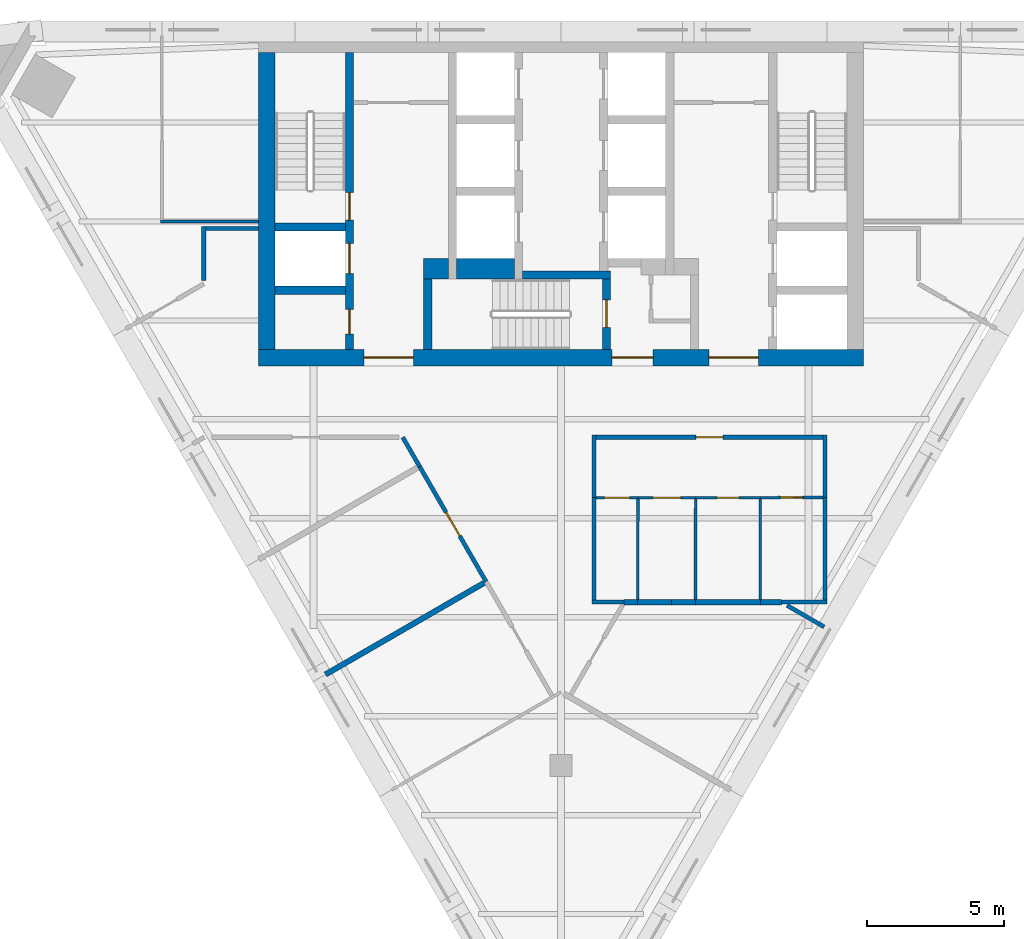
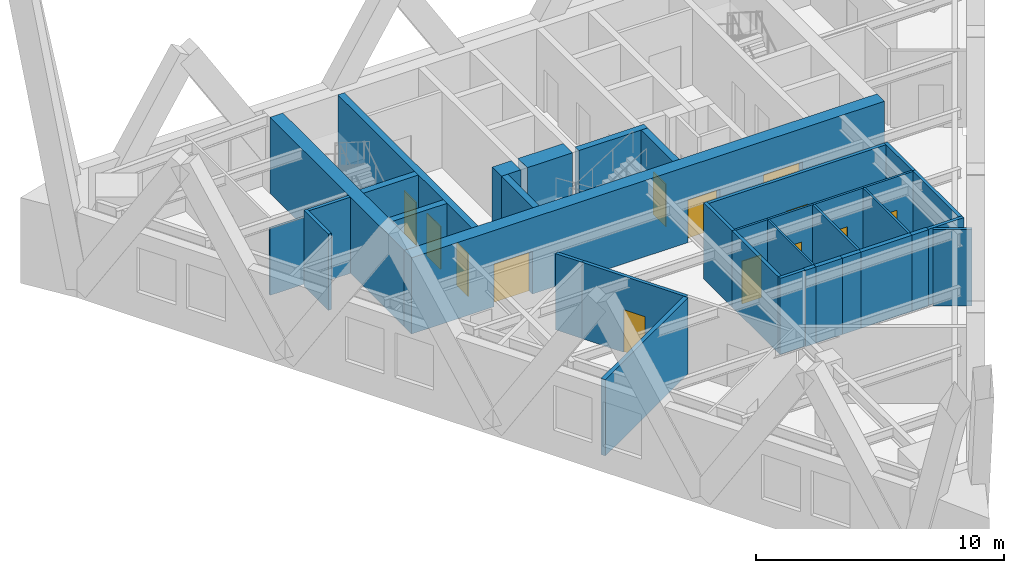
# One storey, part 3 of 6: 36 walls, 13 doors, 13 openings.
"""IFC4 building model written with IfcOpenShell, lengths in metres."""

from ifc_helpers import new_model, si_unit, direction, frame, frame_2d, origin, place, context, subcontext, project, spatial, rectangle, extrude, material, layer, layer_set, type_object, element, fill, save


model = new_model("IFC4")

# Units and contexts
model_context = context("Model", 3, precision=1e-05, world=origin(), true_north=direction((0.0, 1.0)))
body_context = subcontext(model_context, "Body", "Model", "MODEL_VIEW")
ifc_project = project(units=[si_unit("LENGTHUNIT", "METRE"), si_unit("AREAUNIT", "SQUARE_METRE"), si_unit("VOLUMEUNIT", "CUBIC_METRE"), si_unit("PLANEANGLEUNIT", "RADIAN"), si_unit("MASSUNIT", "GRAM", prefix="KILO")], contexts=[model_context])

# Site, building, storey
site_placement = place(None, origin())
site = spatial("IfcSite", under=ifc_project, at=site_placement, CompositionType="ELEMENT")
building_placement = place(site_placement, origin())
building = spatial("IfcBuilding", under=site, at=building_placement, Name="Aloe Facet Convention Tower", CompositionType="ELEMENT")
storey_placement = place(building_placement, frame((0.0, 0.0, 180.199951171875)))
storey = spatial("IfcBuildingStorey", under=building, at=storey_placement, Name="L45", CompositionType="ELEMENT", Elevation=180.199951171875)

# Walls
ifc_material_1 = material(Name="Concrete C50/60", Category="concrete")
ifc_layer_1 = layer(ifc_material_1, 0.300048828125)
ifc_layer_set_1 = layer_set([ifc_layer_1], Name="CR-W-RC300-C5060")
wall_type_1 = type_object("IfcWallType", Name="CR-W-RC300-C5060", PredefinedType="SOLIDWALL", material=ifc_layer_set_1)
for number, where, z_axis, x_axis, name in (
    (1, (69.60009765625, 127.60009765625, 0.0), (0.0, 0.0, 1.0), (1.0, 0.0, 0.0), "Core wall L45-004"),
    (2, (69.60009765625, 125.300048828125, 0.0), (0.0, 0.0, 1.0), (1.0, 0.0, 0.0), "Core wall L45-005"),
):
    element("IfcWall", number, at=place(storey_placement, frame(where, z_axis=z_axis, x_axis=x_axis)), inside=storey, type_object=wall_type_1, Name=name, PredefinedType="SOLIDWALL", context=body_context, shape_type="SweptSolid", body=[
        extrude(rectangle(XDim=2.5498046875, YDim=0.300048828125, at=frame_2d((1.27490234375, 0.0))), origin(), (0.0, 0.0, 1.0), 3.75),
    ])

# Wall, openings, doors
wall_1_placement = place(storey_placement, frame((72.300048828125, 133.949951171875, 0.0), z_axis=(0.0, 0.0, 1.0), x_axis=(0.0, -1.0, 0.0)))
wall_1 = element("IfcWall", 3, at=wall_1_placement, inside=storey, type_object=wall_type_1, Name="Core wall L45-006", PredefinedType="SOLIDWALL", context=body_context, shape_type="SweptSolid", body=[
    extrude(rectangle(XDim=10.800048828125, YDim=0.300048828125, at=frame_2d((5.39990234375, 0.0))), origin(), (0.0, 0.0, 1.0), 3.75),
])
opening_1_placement = place(wall_1_placement, frame((6.949951171875, 0.0, 0.0)))
opening_1 = element("IfcOpeningElement", 4, at=opening_1_placement, cuts=wall_1, Name="Opening LD-FF1-L45", PredefinedType="OPENING", context=body_context, shape_type="SweptSolid", body=[
    extrude(rectangle(XDim=1.10009765625, YDim=2.10009765625, at=frame_2d((0.550048828125, 1.050048828125))), frame((0.0, 0.16015625, 0.0), z_axis=(0.0, -1.0, 0.0), x_axis=(1.0, 0.0, 0.0)), (0.0, 0.0, 1.0), 0.320068359375),
])
opening_2_placement = place(wall_1_placement, frame((9.35009765625, 0.0, 0.0)))
opening_2 = element("IfcOpeningElement", 5, at=opening_2_placement, cuts=wall_1, Name="Opening L45-CD15", PredefinedType="OPENING", context=body_context, shape_type="SweptSolid", body=[
    extrude(rectangle(XDim=0.89990234375, YDim=2.10009765625, at=frame_2d((0.449951171875, 1.050048828125))), frame((0.0, 0.16015625, 0.0), z_axis=(0.0, -1.0, 0.0), x_axis=(1.0, 0.0, 0.0)), (0.0, 0.0, 1.0), 0.320068359375),
])
opening_3_placement = place(wall_1_placement, frame((5.10009765625, 0.0, 0.0)))
opening_3 = element("IfcOpeningElement", 6, at=opening_3_placement, cuts=wall_1, Name="Opening L45-CD16", PredefinedType="OPENING", context=body_context, shape_type="SweptSolid", body=[
    extrude(rectangle(XDim=1.0, YDim=2.10009765625, at=frame_2d((0.5, 1.050048828125))), frame((0.0, 0.16015625, 0.0), z_axis=(0.0, -1.0, 0.0), x_axis=(1.0, 0.0, 0.0)), (0.0, 0.0, 1.0), 0.320068359375),
])
ifc_material_2 = material(Name="Steel fire-resisting door set FD60", Category="steel")
door_type_1 = type_object("IfcDoorType", Name="CR-D-ROOM-900-FD60-SLEFT", OperationType="SINGLE_SWING_LEFT", PredefinedType="DOOR", material=ifc_material_2)
door_1_placement = place(opening_2_placement, origin())
door_1 = element("IfcDoor", 7, at=door_1_placement, inside=storey, type_object=door_type_1, Name="Core door L45-CD15", OperationType="SINGLE_SWING_LEFT", OverallHeight=2.10009765625, OverallWidth=0.89990234375, PredefinedType="DOOR", context=body_context, shape_type="SweptSolid", body=[
    extrude(rectangle(XDim=0.89990234375, YDim=2.10009765625, at=frame_2d((0.449951171875, 1.050048828125))), frame((0.0, 0.02490234375, 0.0), z_axis=(0.0, -1.0, 0.0), x_axis=(1.0, 0.0, 0.0)), (0.0, 0.0, 1.0), 0.050048828125),
])
fill(opening_2, door_1)
ifc_material_3 = material(Name="Steel fire-resisting door set FD120", Category="steel")
door_type_2 = type_object("IfcDoorType", Name="CR-D-STAIR-1000-FD120-SRIGHT", OperationType="SINGLE_SWING_RIGHT", PredefinedType="DOOR", material=ifc_material_3)
door_2_placement = place(opening_3_placement, origin())
door_2 = element("IfcDoor", 8, at=door_2_placement, inside=storey, type_object=door_type_2, Name="Core door L45-CD16", OperationType="SINGLE_SWING_RIGHT", OverallHeight=2.10009765625, OverallWidth=1.0, PredefinedType="DOOR", context=body_context, shape_type="SweptSolid", body=[
    extrude(rectangle(XDim=1.0, YDim=2.10009765625, at=frame_2d((0.5, 1.050048828125))), frame((0.0, 0.02490234375, 0.0), z_axis=(0.0, -1.0, 0.0), x_axis=(1.0, 0.0, 0.0)), (0.0, 0.0, 1.0), 0.050048828125),
])
fill(opening_3, door_2)
ifc_material_4 = material(Name="Stainless steel sliding landing door", Category="steel")
door_type_3 = type_object("IfcDoorType", Name="CR-LD-1100-FD120-_LEFT", OperationType="SLIDING_TO_LEFT", PredefinedType="DOOR", material=ifc_material_4)
door_3_placement = place(opening_1_placement, origin())
door_3 = element("IfcDoor", 9, at=door_3_placement, inside=storey, type_object=door_type_3, Name="Landing door FF1 L45", OperationType="SLIDING_TO_LEFT", OverallHeight=2.10009765625, OverallWidth=1.10009765625, PredefinedType="DOOR", context=body_context, shape_type="SweptSolid", body=[
    extrude(rectangle(XDim=1.10009765625, YDim=2.10009765625, at=frame_2d((0.550048828125, 1.050048828125))), frame((0.0, 0.02490234375, 0.0), z_axis=(0.0, -1.0, 0.0), x_axis=(1.0, 0.0, 0.0)), (0.0, 0.0, 1.0), 0.050048828125),
])
fill(opening_1, door_3)

# Walls
wall_2_placement = place(storey_placement, frame((75.14990234375, 125.699951171875, 0.0), z_axis=(0.0, 0.0, 1.0), x_axis=(0.0, -1.0, 0.0)))
element("IfcWall", 10, at=wall_2_placement, inside=storey, type_object=wall_type_1, Name="Core wall L45-009", PredefinedType="SOLIDWALL", context=body_context, shape_type="SweptSolid", body=[
    extrude(rectangle(XDim=2.550048828125, YDim=0.300048828125, at=frame_2d((1.27490234375, 0.0))), origin(), (0.0, 0.0, 1.0), 3.75),
])
wall_3_placement = place(storey_placement, frame((78.60009765625, 125.85009765625, 0.0), z_axis=(0.0, 0.0, 1.0), x_axis=(1.0, 0.0, 0.0)))
element("IfcWall", 11, at=wall_3_placement, inside=storey, type_object=wall_type_1, Name="Core wall L45-015", PredefinedType="SOLIDWALL", context=body_context, shape_type="SweptSolid", body=[
    extrude(rectangle(XDim=3.199951171875, YDim=0.300048828125, at=frame_2d((1.60009765625, 0.0))), origin(), (0.0, 0.0, 1.0), 3.75),
])

# Wall, opening, door
wall_4_placement = place(storey_placement, frame((81.64990234375, 125.699951171875, 0.0), z_axis=(0.0, 0.0, 1.0), x_axis=(0.0, -1.0, 0.0)))
wall_4 = element("IfcWall", 12, at=wall_4_placement, inside=storey, type_object=wall_type_1, Name="Core wall L45-017", PredefinedType="SOLIDWALL", context=body_context, shape_type="SweptSolid", body=[
    extrude(rectangle(XDim=2.550048828125, YDim=0.300048828125, at=frame_2d((1.27490234375, 0.0))), origin(), (0.0, 0.0, 1.0), 3.75),
])
opening_4_placement = place(wall_4_placement, frame((0.75, 0.0, 0.0)))
opening_4 = element("IfcOpeningElement", 13, at=opening_4_placement, cuts=wall_4, Name="Opening L45-CD18", PredefinedType="OPENING", context=body_context, shape_type="SweptSolid", body=[
    extrude(rectangle(XDim=1.0, YDim=2.10009765625, at=frame_2d((0.5, 1.050048828125))), frame((0.0, 0.16015625, 0.0), z_axis=(0.0, -1.0, 0.0), x_axis=(1.0, 0.0, 0.0)), (0.0, 0.0, 1.0), 0.320068359375),
])
ifc_material_5 = material(Name="Steel fire-resisting door set FD120", Category="steel")
door_type_4 = type_object("IfcDoorType", Name="CR-D-STAIR-1000-FD120-SLEFT", OperationType="SINGLE_SWING_LEFT", PredefinedType="DOOR", material=ifc_material_5)
door_4_placement = place(opening_4_placement, origin())
door_4 = element("IfcDoor", 14, at=door_4_placement, inside=storey, type_object=door_type_4, Name="Core door L45-CD18", OperationType="SINGLE_SWING_LEFT", OverallHeight=2.10009765625, OverallWidth=1.0, PredefinedType="DOOR", context=body_context, shape_type="SweptSolid", body=[
    extrude(rectangle(XDim=1.0, YDim=2.10009765625, at=frame_2d((0.5, 1.050048828125))), frame((0.0, 0.02490234375, 0.0), z_axis=(0.0, -1.0, 0.0), x_axis=(1.0, 0.0, 0.0)), (0.0, 0.0, 1.0), 0.050048828125),
])
fill(opening_4, door_4)

# Wall
ifc_material_6 = material(Name="Concrete C50/60", Category="concrete")
ifc_layer_2 = layer(ifc_material_6, 0.60009765625)
ifc_layer_set_2 = layer_set([ifc_layer_2], Name="CR-W-RC600-C5060")
wall_type_2 = type_object("IfcWallType", Name="CR-W-RC600-C5060", PredefinedType="SOLIDWALL", material=ifc_layer_set_2)
wall_5_placement = place(storey_placement, frame((69.300048828125, 133.949951171875, 0.0), z_axis=(0.0, 0.0, 1.0), x_axis=(0.0, -1.0, 0.0)))
element("IfcWall", 15, at=wall_5_placement, inside=storey, type_object=wall_type_2, Name="Core wall L45-002", PredefinedType="SOLIDWALL", context=body_context, shape_type="SweptSolid", body=[
    extrude(rectangle(XDim=10.800048828125, YDim=0.60009765625, at=frame_2d((5.39990234375, 0.0))), origin(), (0.0, 0.0, 1.0), 3.75),
])

# Wall, openings, doors
wall_6_placement = place(storey_placement, frame((69.0, 122.85009765625, 0.0), z_axis=(0.0, 0.0, 1.0), x_axis=(1.0, 0.0, 0.0)))
wall_6 = element("IfcWall", 16, at=wall_6_placement, inside=storey, type_object=wall_type_2, Name="Core wall L45-003", PredefinedType="SOLIDWALL", context=body_context, shape_type="SweptSolid", body=[
    extrude(rectangle(XDim=22.0, YDim=0.60009765625, at=frame_2d((11.0, 0.0))), origin(), (0.0, 0.0, 1.0), 3.75),
])
opening_5_placement = place(wall_6_placement, frame((16.375, 0.0, 0.0)))
opening_5 = element("IfcOpeningElement", 17, at=opening_5_placement, cuts=wall_6, Name="Opening L45-CD09", PredefinedType="OPENING", context=body_context, shape_type="SweptSolid", body=[
    extrude(rectangle(XDim=1.800048828125, YDim=2.10009765625, at=frame_2d((0.89990234375, 1.050048828125))), frame((0.0, 0.31005859375, 0.0), z_axis=(0.0, -1.0, 0.0), x_axis=(1.0, 0.0, 0.0)), (0.0, 0.0, 1.0), 0.6201171875),
])
opening_6_placement = place(wall_6_placement, frame((3.824951171875, 0.0, 0.0)))
opening_6 = element("IfcOpeningElement", 18, at=opening_6_placement, cuts=wall_6, Name="Opening L45-CD10", PredefinedType="OPENING", context=body_context, shape_type="SweptSolid", body=[
    extrude(rectangle(XDim=1.800048828125, YDim=2.10009765625, at=frame_2d((0.89990234375, 1.050048828125))), frame((0.0, 0.31005859375, 0.0), z_axis=(0.0, -1.0, 0.0), x_axis=(1.0, 0.0, 0.0)), (0.0, 0.0, 1.0), 0.6201171875),
])
opening_7_placement = place(wall_6_placement, frame((12.85009765625, 0.0, 0.0)))
opening_7 = element("IfcOpeningElement", 19, at=opening_7_placement, cuts=wall_6, Name="Opening L45-CD11", PredefinedType="OPENING", context=body_context, shape_type="SweptSolid", body=[
    extrude(rectangle(XDim=1.5, YDim=2.10009765625, at=frame_2d((0.75, 1.050048828125))), frame((0.0, 0.31005859375, 0.0), z_axis=(0.0, -1.0, 0.0), x_axis=(1.0, 0.0, 0.0)), (0.0, 0.0, 1.0), 0.6201171875),
])
ifc_material_7 = material(Name="Steel fire-resisting door set FD60", Category="steel")
door_type_5 = type_object("IfcDoorType", Name="CR-D-EXIT-1500-FD60-DD", OperationType="DOUBLE_DOOR_DOUBLE_SWING", PredefinedType="DOOR", material=ifc_material_7)
door_5_placement = place(opening_7_placement, origin())
door_5 = element("IfcDoor", 20, at=door_5_placement, inside=storey, type_object=door_type_5, Name="Core door L45-CD11", OperationType="DOUBLE_DOOR_DOUBLE_SWING", OverallHeight=2.10009765625, OverallWidth=1.5, PredefinedType="DOOR", context=body_context, shape_type="SweptSolid", body=[
    extrude(rectangle(XDim=1.5, YDim=2.10009765625, at=frame_2d((0.75, 1.050048828125))), frame((0.0, 0.02490234375, 0.0), z_axis=(0.0, -1.0, 0.0), x_axis=(1.0, 0.0, 0.0)), (0.0, 0.0, 1.0), 0.050048828125),
])
fill(opening_7, door_5)
ifc_material_8 = material(Name="Steel fire-resisting door set FD120", Category="steel")
door_type_6 = type_object("IfcDoorType", Name="CR-D-EXIT-1800-FD120-DD", OperationType="DOUBLE_DOOR_DOUBLE_SWING", PredefinedType="DOOR", material=ifc_material_8)
door_6_placement = place(opening_5_placement, origin())
door_6 = element("IfcDoor", 21, at=door_6_placement, inside=storey, type_object=door_type_6, Name="Core door L45-CD09", OperationType="DOUBLE_DOOR_DOUBLE_SWING", OverallHeight=2.10009765625, OverallWidth=1.800048828125, PredefinedType="DOOR", context=body_context, shape_type="SweptSolid", body=[
    extrude(rectangle(XDim=1.800048828125, YDim=2.10009765625, at=frame_2d((0.89990234375, 1.050048828125))), frame((0.0, 0.02490234375, 0.0), z_axis=(0.0, -1.0, 0.0), x_axis=(1.0, 0.0, 0.0)), (0.0, 0.0, 1.0), 0.050048828125),
])
fill(opening_5, door_6)
door_7_placement = place(opening_6_placement, origin())
door_7 = element("IfcDoor", 22, at=door_7_placement, inside=storey, type_object=door_type_6, Name="Core door L45-CD10", OperationType="DOUBLE_DOOR_DOUBLE_SWING", OverallHeight=2.10009765625, OverallWidth=1.800048828125, PredefinedType="DOOR", context=body_context, shape_type="SweptSolid", body=[
    extrude(rectangle(XDim=1.800048828125, YDim=2.10009765625, at=frame_2d((0.89990234375, 1.050048828125))), frame((0.0, 0.02490234375, 0.0), z_axis=(0.0, -1.0, 0.0), x_axis=(1.0, 0.0, 0.0)), (0.0, 0.0, 1.0), 0.050048828125),
])
fill(opening_6, door_7)

# Walls
ifc_material_9 = material(Name="Concrete C50/60", Category="concrete")
ifc_layer_3 = layer(ifc_material_9, 0.75)
ifc_layer_set_3 = layer_set([ifc_layer_3], Name="CR-W-RC750-C5060")
wall_type_3 = type_object("IfcWallType", Name="CR-W-RC750-C5060", PredefinedType="SOLIDWALL", material=ifc_layer_set_3)
wall_7_placement = place(storey_placement, frame((75.0, 126.074951171875, 0.0), z_axis=(0.0, 0.0, 1.0), x_axis=(1.0, 0.0, 0.0)))
element("IfcWall", 23, at=wall_7_placement, inside=storey, type_object=wall_type_3, Name="Core wall L45-008", PredefinedType="SOLIDWALL", context=body_context, shape_type="SweptSolid", body=[
    extrude(rectangle(XDim=0.89990234375, YDim=0.75, at=frame_2d((0.449951171875, 0.0))), origin(), (0.0, 0.0, 1.0), 3.75),
])
wall_8_placement = place(storey_placement, frame((76.199951171875, 126.074951171875, 0.0), z_axis=(0.0, 0.0, 1.0), x_axis=(1.0, 0.0, 0.0)))
element("IfcWall", 24, at=wall_8_placement, inside=storey, type_object=wall_type_3, Name="Core wall L45-013", PredefinedType="SOLIDWALL", context=body_context, shape_type="SweptSolid", body=[
    extrude(rectangle(XDim=2.10009765625, YDim=0.75, at=frame_2d((1.050048828125, 0.0))), origin(), (0.0, 0.0, 1.0), 3.75),
])
ifc_material_10 = material(Name="Gypsum board partition on steel studs", Category="steel")
ifc_layer_4 = layer(ifc_material_10, 0.14990234375)
ifc_layer_set_4 = layer_set([ifc_layer_4], Name="IN-W-CORR")
wall_type_4 = type_object("IfcWallType", Name="IN-W-CORR", PredefinedType="PARTITIONING", material=ifc_layer_set_4)
wall_9_placement = place(storey_placement, frame((88.220703125, 113.830078125, 0.0), z_axis=(0.0, 0.0, 1.0), x_axis=(0.865997745606, -0.500047902311, 0.0)))
element("IfcWall", 25, at=wall_9_placement, inside=storey, type_object=wall_type_4, Name="Partition L45-W009", PredefinedType="PARTITIONING", context=body_context, shape_type="SweptSolid", body=[
    extrude(rectangle(XDim=1.558349609375, YDim=0.14990234375, at=frame_2d((0.779296875, 0.0))), origin(), (0.0, 0.0, 1.0), 3.75),
])
wall_10_placement = place(storey_placement, frame((81.126953125, 113.949951171875, 0.0), z_axis=(0.0, 0.0, 1.0), x_axis=(1.0, 0.0, 0.0)))
element("IfcWall", 26, at=wall_10_placement, inside=storey, type_object=wall_type_4, Name="Partition L45-W013", PredefinedType="PARTITIONING", context=body_context, shape_type="SweptSolid", body=[
    extrude(rectangle(XDim=1.17041015625, YDim=0.14990234375, at=frame_2d((0.585205078125, 0.0))), origin(), (0.0, 0.0, 1.0), 3.75),
])
wall_11_placement = place(storey_placement, frame((88.0126953125, 113.949951171875, 0.0), z_axis=(0.0, 0.0, 1.0), x_axis=(1.0, 0.0, 0.0)))
element("IfcWall", 27, at=wall_11_placement, inside=storey, type_object=wall_type_4, Name="Partition L45-W017", PredefinedType="PARTITIONING", context=body_context, shape_type="SweptSolid", body=[
    extrude(rectangle(XDim=1.66015625, YDim=0.14990234375, at=frame_2d((0.830078125, 0.0))), origin(), (0.0, 0.0, 1.0), 3.75),
])
wall_12_placement = place(storey_placement, frame((89.597900390625, 114.02490234375, 0.0), z_axis=(0.0, 0.0, 1.0), x_axis=(0.000588273642, 0.999999826967, 0.0)))
element("IfcWall", 28, at=wall_12_placement, inside=storey, type_object=wall_type_4, Name="Partition L45-W018", PredefinedType="PARTITIONING", context=body_context, shape_type="SweptSolid", body=[
    extrude(rectangle(XDim=3.735107421875, YDim=0.14990234375, at=frame_2d((1.86767578125, 0.0))), origin(), (0.0, 0.0, 1.0), 3.75),
])

# Wall, opening, door
wall_13_placement = place(storey_placement, frame((74.85302734375, 118.88525390625, 0.0), z_axis=(0.0, 0.0, 1.0), x_axis=(0.500006196252, -0.866021826347, 0.0)))
wall_13 = element("IfcWall", 29, at=wall_13_placement, inside=storey, type_object=wall_type_4, Name="Partition L45-W019", PredefinedType="PARTITIONING", context=body_context, shape_type="SweptSolid", body=[
    extrude(rectangle(XDim=4.84130859375, YDim=0.14990234375, at=frame_2d((2.420654296875, 0.0))), origin(), (0.0, 0.0, 1.0), 3.75),
])
opening_8_placement = place(wall_13_placement, frame((1.920654296875, 0.0, 0.0)))
opening_8 = element("IfcOpeningElement", 30, at=opening_8_placement, cuts=wall_13, Name="Opening L45-010", PredefinedType="OPENING", context=body_context, shape_type="SweptSolid", body=[
    extrude(rectangle(XDim=1.0, YDim=2.10009765625, at=frame_2d((0.5, 1.050048828125))), frame((0.0, 0.0849609375, 0.0), z_axis=(0.0, -1.0, 0.0), x_axis=(1.0, 0.0, 0.0)), (0.0, 0.0, 1.0), 0.169921875),
])
ifc_material_11 = material(Name="Timber door FD30S with vision panel", Category="wood")
door_type_7 = type_object("IfcDoorType", Name="IN-OFF-D-ENTRY", OperationType="SINGLE_SWING_LEFT", PredefinedType="DOOR", material=ifc_material_11)
door_8_placement = place(opening_8_placement, origin())
door_8 = element("IfcDoor", 31, at=door_8_placement, inside=storey, type_object=door_type_7, Name="Door L45-010", OperationType="SINGLE_SWING_LEFT", OverallHeight=2.10009765625, OverallWidth=1.0, PredefinedType="DOOR", context=body_context, shape_type="SweptSolid", body=[
    extrude(rectangle(XDim=1.0, YDim=2.10009765625, at=frame_2d((0.5, 1.050048828125))), frame((0.0, 0.02490234375, 0.0), z_axis=(0.0, -1.0, 0.0), x_axis=(1.0, 0.0, 0.0)), (0.0, 0.0, 1.0), 0.050048828125),
])
fill(opening_8, door_8)

# Walls
wall_14_placement = place(storey_placement, frame((89.60009765625, 117.760009765625, 0.0), z_axis=(0.0, 0.0, 1.0), x_axis=(0.0, 1.0, 0.0)))
element("IfcWall", 32, at=wall_14_placement, inside=storey, type_object=wall_type_4, Name="Partition L45-W021", PredefinedType="PARTITIONING", context=body_context, shape_type="SweptSolid", body=[
    extrude(rectangle(XDim=2.262939453125, YDim=0.14990234375, at=frame_2d((1.13134765625, 0.0))), origin(), (0.0, 0.0, 1.0), 3.75),
])
wall_15_placement = place(storey_placement, frame((81.201904296875, 114.02490234375, 0.0), z_axis=(0.0, 0.0, 1.0), x_axis=(-0.000524315041, 0.999999862547, 0.0)))
element("IfcWall", 33, at=wall_15_placement, inside=storey, type_object=wall_type_4, Name="Partition L45-W029", PredefinedType="PARTITIONING", context=body_context, shape_type="SweptSolid", body=[
    extrude(rectangle(XDim=3.72509765625, YDim=0.14990234375, at=frame_2d((1.862548828125, 0.0))), origin(), (0.0, 0.0, 1.0), 3.75),
])
wall_16_placement = place(storey_placement, frame((74.239013671875, 119.948974609375, 0.0), z_axis=(0.0, 0.0, 1.0), x_axis=(0.499923202248, -0.866069738447, 0.0)))
element("IfcWall", 34, at=wall_16_placement, inside=storey, type_object=wall_type_4, Name="Partition L45-W030", PredefinedType="PARTITIONING", context=body_context, shape_type="SweptSolid", body=[
    extrude(rectangle(XDim=1.228271484375, YDim=0.14990234375, at=frame_2d((0.6142578125, 0.0))), origin(), (0.0, 0.0, 1.0), 3.75),
])
wall_17_placement = place(storey_placement, frame((81.199951171875, 117.75, 0.0), z_axis=(0.0, 0.0, 1.0), x_axis=(0.0, 1.0, 0.0)))
element("IfcWall", 35, at=wall_17_placement, inside=storey, type_object=wall_type_4, Name="Partition L45-W031", PredefinedType="PARTITIONING", context=body_context, shape_type="SweptSolid", body=[
    extrude(rectangle(XDim=2.27294921875, YDim=0.14990234375, at=frame_2d((1.136474609375, 0.0))), origin(), (0.0, 0.0, 1.0), 3.75),
])

# Wall, opening, door
wall_18_placement = place(storey_placement, frame((81.27490234375, 119.947998046875, 0.0), z_axis=(0.0, 0.0, 1.0), x_axis=(1.0, 0.0, 0.0)))
wall_18 = element("IfcWall", 36, at=wall_18_placement, inside=storey, type_object=wall_type_4, Name="Partition L45-W034", PredefinedType="PARTITIONING", context=body_context, shape_type="SweptSolid", body=[
    extrude(rectangle(XDim=8.25, YDim=0.14990234375, at=frame_2d((4.125, 0.0))), origin(), (0.0, 0.0, 1.0), 3.75),
])
opening_9_placement = place(wall_18_placement, frame((3.625, 0.0, 0.0)))
opening_9 = element("IfcOpeningElement", 37, at=opening_9_placement, cuts=wall_18, Name="Opening L45-001", PredefinedType="OPENING", context=body_context, shape_type="SweptSolid", body=[
    extrude(rectangle(XDim=1.0, YDim=2.10009765625, at=frame_2d((0.5, 1.050048828125))), frame((0.0, 0.0849609375, 0.0), z_axis=(0.0, -1.0, 0.0), x_axis=(1.0, 0.0, 0.0)), (0.0, 0.0, 1.0), 0.169921875),
])
door_9_placement = place(opening_9_placement, origin())
door_9 = element("IfcDoor", 38, at=door_9_placement, inside=storey, type_object=door_type_7, Name="Door L45-001", OperationType="SINGLE_SWING_LEFT", OverallHeight=2.10009765625, OverallWidth=1.0, PredefinedType="DOOR", context=body_context, shape_type="SweptSolid", body=[
    extrude(rectangle(XDim=1.0, YDim=2.10009765625, at=frame_2d((0.5, 1.050048828125))), frame((0.0, 0.02490234375, 0.0), z_axis=(0.0, -1.0, 0.0), x_axis=(1.0, 0.0, 0.0)), (0.0, 0.0, 1.0), 0.050048828125),
])
fill(opening_9, door_9)

# Walls
wall_19_placement = place(storey_placement, frame((66.9990234375, 125.660888671875, 0.0), z_axis=(0.0, 0.0, 1.0), x_axis=(0.00049720317, 0.999999876394, 0.0)))
element("IfcWall", 39, at=wall_19_placement, inside=storey, type_object=wall_type_4, Name="Partition L45-W037", PredefinedType="PARTITIONING", context=body_context, shape_type="SweptSolid", body=[
    extrude(rectangle(XDim=1.964111328125, YDim=0.14990234375, at=frame_2d((0.98193359375, 0.0))), origin(), (0.0, 0.0, 1.0), 3.75),
])
wall_20_placement = place(storey_placement, frame((67.074951171875, 127.550048828125, 0.0), z_axis=(0.0, 0.0, 1.0), x_axis=(1.0, 0.0, 0.0)))
element("IfcWall", 40, at=wall_20_placement, inside=storey, type_object=wall_type_4, Name="Partition L45-W038", PredefinedType="PARTITIONING", context=body_context, shape_type="SweptSolid", body=[
    extrude(rectangle(XDim=1.925048828125, YDim=0.14990234375, at=frame_2d((0.96240234375, 0.0))), origin(), (0.0, 0.0, 1.0), 3.75),
])
ifc_material_12 = material(Name="Gypsum board partition on steel studs", Category="steel")
ifc_layer_5 = layer(ifc_material_12, 0.10009765625)
ifc_layer_set_5 = layer_set([ifc_layer_5], Name="IN-W-PART")
wall_type_5 = type_object("IfcWallType", Name="IN-W-PART", PredefinedType="PARTITIONING", material=ifc_layer_set_5)
wall_21_placement = place(storey_placement, frame((82.786376953125, 114.050048828125, 0.0), z_axis=(0.0, 0.0, 1.0), x_axis=(0.002608686776, 0.999996597371, 0.0)))
element("IfcWall", 41, at=wall_21_placement, inside=storey, type_object=wall_type_5, Name="Partition L45-W022", PredefinedType="PARTITIONING", context=body_context, shape_type="SweptSolid", body=[
    extrude(rectangle(XDim=3.64990234375, YDim=0.10009765625, at=frame_2d((1.824951171875, 0.0))), origin(), (0.0, 0.0, 1.0), 3.75),
])

# Wall, opening, door
wall_22_placement = place(storey_placement, frame((81.27490234375, 117.75, 0.0), z_axis=(0.0, 0.0, 1.0), x_axis=(1.0, 0.0, 0.0)))
wall_22 = element("IfcWall", 42, at=wall_22_placement, inside=storey, type_object=wall_type_5, Name="Partition L45-W023", PredefinedType="PARTITIONING", context=body_context, shape_type="SweptSolid", body=[
    extrude(rectangle(XDim=1.52099609375, YDim=0.10009765625, at=frame_2d((0.760498046875, 0.0))), origin(), (0.0, 0.0, 1.0), 3.75),
])
opening_10_placement = place(wall_22_placement, frame((0.310546875, 0.0, 0.0)))
opening_10 = element("IfcOpeningElement", 43, at=opening_10_placement, cuts=wall_22, Name="Opening L45-002", PredefinedType="OPENING", context=body_context, shape_type="SweptSolid", body=[
    extrude(rectangle(XDim=0.89990234375, YDim=2.10009765625, at=frame_2d((0.449951171875, 1.050048828125))), frame((0.0, 0.06005859375, 0.0), z_axis=(0.0, -1.0, 0.0), x_axis=(1.0, 0.0, 0.0)), (0.0, 0.0, 1.0), 0.1201171875),
])
ifc_material_13 = material(Name="Timber door", Category="wood")
door_type_8 = type_object("IfcDoorType", Name="IN-OFF-D-ROOM", OperationType="SINGLE_SWING_LEFT", PredefinedType="DOOR", material=ifc_material_13)
door_10_placement = place(opening_10_placement, origin())
door_10 = element("IfcDoor", 44, at=door_10_placement, inside=storey, type_object=door_type_8, Name="Door L45-002", OperationType="SINGLE_SWING_LEFT", OverallHeight=2.10009765625, OverallWidth=0.89990234375, PredefinedType="DOOR", context=body_context, shape_type="SweptSolid", body=[
    extrude(rectangle(XDim=0.89990234375, YDim=2.10009765625, at=frame_2d((0.449951171875, 1.050048828125))), frame((0.0, 0.02490234375, 0.0), z_axis=(0.0, -1.0, 0.0), x_axis=(1.0, 0.0, 0.0)), (0.0, 0.0, 1.0), 0.050048828125),
])
fill(opening_10, door_10)

# Wall
wall_23_placement = place(storey_placement, frame((84.88623046875, 114.047119140625, 0.0), z_axis=(0.0, 0.0, 1.0), x_axis=(0.00260659454, 0.999996602827, 0.0)))
element("IfcWall", 45, at=wall_23_placement, inside=storey, type_object=wall_type_5, Name="Partition L45-W024", PredefinedType="PARTITIONING", context=body_context, shape_type="SweptSolid", body=[
    extrude(rectangle(XDim=3.65283203125, YDim=0.10009765625, at=frame_2d((1.826416015625, 0.0))), origin(), (0.0, 0.0, 1.0), 3.75),
])

# Wall, opening, door
wall_24_placement = place(storey_placement, frame((82.7958984375, 117.75, 0.0), z_axis=(0.0, 0.0, 1.0), x_axis=(1.0, 0.0, 0.0)))
wall_24 = element("IfcWall", 46, at=wall_24_placement, inside=storey, type_object=wall_type_5, Name="Partition L45-W025", PredefinedType="PARTITIONING", context=body_context, shape_type="SweptSolid", body=[
    extrude(rectangle(XDim=2.10009765625, YDim=0.10009765625, at=frame_2d((1.050048828125, 0.0))), origin(), (0.0, 0.0, 1.0), 3.75),
])
opening_11_placement = place(wall_24_placement, frame((0.550048828125, 0.0, 0.0)))
opening_11 = element("IfcOpeningElement", 47, at=opening_11_placement, cuts=wall_24, Name="Opening L45-003", PredefinedType="OPENING", context=body_context, shape_type="SweptSolid", body=[
    extrude(rectangle(XDim=1.0, YDim=2.10009765625, at=frame_2d((0.5, 1.050048828125))), frame((0.0, 0.06005859375, 0.0), z_axis=(0.0, -1.0, 0.0), x_axis=(1.0, 0.0, 0.0)), (0.0, 0.0, 1.0), 0.1201171875),
])
ifc_material_14 = material(Name="Timber door", Category="wood")
door_type_9 = type_object("IfcDoorType", Name="IN-OFF-D-WIDE", OperationType="SINGLE_SWING_LEFT", PredefinedType="DOOR", material=ifc_material_14)
door_11_placement = place(opening_11_placement, origin())
door_11 = element("IfcDoor", 48, at=door_11_placement, inside=storey, type_object=door_type_9, Name="Door L45-003", OperationType="SINGLE_SWING_LEFT", OverallHeight=2.10009765625, OverallWidth=1.0, PredefinedType="DOOR", context=body_context, shape_type="SweptSolid", body=[
    extrude(rectangle(XDim=1.0, YDim=2.10009765625, at=frame_2d((0.5, 1.050048828125))), frame((0.0, 0.02490234375, 0.0), z_axis=(0.0, -1.0, 0.0), x_axis=(1.0, 0.0, 0.0)), (0.0, 0.0, 1.0), 0.050048828125),
])
fill(opening_11, door_11)

# Wall
wall_25_placement = place(storey_placement, frame((87.248046875, 114.047119140625, 0.0), z_axis=(0.0, 0.0, 1.0), x_axis=(0.0, 1.0, 0.0)))
element("IfcWall", 49, at=wall_25_placement, inside=storey, type_object=wall_type_5, Name="Partition L45-W026", PredefinedType="PARTITIONING", context=body_context, shape_type="SweptSolid", body=[
    extrude(rectangle(XDim=3.65283203125, YDim=0.10009765625, at=frame_2d((1.826416015625, 0.0))), origin(), (0.0, 0.0, 1.0), 3.75),
])

# Wall, opening, door
wall_26_placement = place(storey_placement, frame((84.89599609375, 117.75, 0.0), z_axis=(0.0, 0.0, 1.0), x_axis=(1.0, 0.0, 0.0)))
wall_26 = element("IfcWall", 50, at=wall_26_placement, inside=storey, type_object=wall_type_5, Name="Partition L45-W027", PredefinedType="PARTITIONING", context=body_context, shape_type="SweptSolid", body=[
    extrude(rectangle(XDim=2.35205078125, YDim=0.10009765625, at=frame_2d((1.176025390625, 0.0))), origin(), (0.0, 0.0, 1.0), 3.75),
])
opening_12_placement = place(wall_26_placement, frame((0.77587890625, 0.0, 0.0)))
opening_12 = element("IfcOpeningElement", 51, at=opening_12_placement, cuts=wall_26, Name="Opening L45-004", PredefinedType="OPENING", context=body_context, shape_type="SweptSolid", body=[
    extrude(rectangle(XDim=0.800048828125, YDim=2.10009765625, at=frame_2d((0.39990234375, 1.050048828125))), frame((0.0, 0.06005859375, 0.0), z_axis=(0.0, -1.0, 0.0), x_axis=(1.0, 0.0, 0.0)), (0.0, 0.0, 1.0), 0.1201171875),
])
ifc_material_15 = material(Name="Timber door", Category="wood")
door_type_10 = type_object("IfcDoorType", Name="IN-OFF-D-WC", OperationType="SINGLE_SWING_LEFT", PredefinedType="DOOR", material=ifc_material_15)
door_12_placement = place(opening_12_placement, origin())
door_12 = element("IfcDoor", 52, at=door_12_placement, inside=storey, type_object=door_type_10, Name="Door L45-004", OperationType="SINGLE_SWING_LEFT", OverallHeight=2.10009765625, OverallWidth=0.800048828125, PredefinedType="DOOR", context=body_context, shape_type="SweptSolid", body=[
    extrude(rectangle(XDim=0.800048828125, YDim=2.10009765625, at=frame_2d((0.39990234375, 1.050048828125))), frame((0.0, 0.02490234375, 0.0), z_axis=(0.0, -1.0, 0.0), x_axis=(1.0, 0.0, 0.0)), (0.0, 0.0, 1.0), 0.050048828125),
])
fill(opening_12, door_12)

wall_27_placement = place(storey_placement, frame((87.248046875, 117.75, 0.0), z_axis=(0.0, 0.0, 1.0), x_axis=(0.999990802005, 0.00428904483, 0.0)))
wall_27 = element("IfcWall", 53, at=wall_27_placement, inside=storey, type_object=wall_type_5, Name="Partition L45-W028", PredefinedType="PARTITIONING", context=body_context, shape_type="SweptSolid", body=[
    extrude(rectangle(XDim=2.27685546875, YDim=0.10009765625, at=frame_2d((1.138427734375, 0.0))), origin(), (0.0, 0.0, 1.0), 3.75),
])
opening_13_placement = place(wall_27_placement, frame((0.738525390625, 0.0, 0.0)))
opening_13 = element("IfcOpeningElement", 54, at=opening_13_placement, cuts=wall_27, Name="Opening L45-005", PredefinedType="OPENING", context=body_context, shape_type="SweptSolid", body=[
    extrude(rectangle(XDim=0.800048828125, YDim=2.10009765625, at=frame_2d((0.39990234375, 1.050048828125))), frame((0.0, 0.06005859375, 0.0), z_axis=(0.0, -1.0, 0.0), x_axis=(1.0, 0.0, 0.0)), (0.0, 0.0, 1.0), 0.1201171875),
])
door_13_placement = place(opening_13_placement, origin())
door_13 = element("IfcDoor", 55, at=door_13_placement, inside=storey, type_object=door_type_10, Name="Door L45-005", OperationType="SINGLE_SWING_LEFT", OverallHeight=2.10009765625, OverallWidth=0.800048828125, PredefinedType="DOOR", context=body_context, shape_type="SweptSolid", body=[
    extrude(rectangle(XDim=0.800048828125, YDim=2.10009765625, at=frame_2d((0.39990234375, 1.050048828125))), frame((0.0, 0.02490234375, 0.0), z_axis=(0.0, -1.0, 0.0), x_axis=(1.0, 0.0, 0.0)), (0.0, 0.0, 1.0), 0.050048828125),
])
fill(opening_13, door_13)

# Walls
wall_28_placement = place(storey_placement, frame((65.428466796875, 127.800048828125, 0.0), z_axis=(0.0, 0.0, 1.0), x_axis=(1.0, 0.0, 0.0)))
element("IfcWall", 56, at=wall_28_placement, inside=storey, type_object=wall_type_5, Name="Partition L45-W041", PredefinedType="PARTITIONING", context=body_context, shape_type="SweptSolid", body=[
    extrude(rectangle(XDim=3.571533203125, YDim=0.10009765625, at=frame_2d((1.78564453125, 0.0))), origin(), (0.0, 0.0, 1.0), 3.280029296875),
])
ifc_material_16 = material(Name="Gypsum board partition on steel studs", Category="steel")
ifc_layer_6 = layer(ifc_material_16, 0.199951171875)
ifc_layer_set_6 = layer_set([ifc_layer_6], Name="IN-W-PARTY")
wall_type_6 = type_object("IfcWallType", Name="IN-W-PARTY", PredefinedType="PARTITIONING", material=ifc_layer_set_6)
wall_29_placement = place(storey_placement, frame((71.427978515625, 111.317626953125, 0.0), z_axis=(0.0, 0.0, 1.0), x_axis=(0.866020884234, 0.500007828009, 0.0)))
element("IfcWall", 57, at=wall_29_placement, inside=storey, type_object=wall_type_6, Name="Partition L45-W008", PredefinedType="PARTITIONING", context=body_context, shape_type="SweptSolid", body=[
    extrude(rectangle(XDim=6.6650390625, YDim=0.199951171875, at=frame_2d((3.33251953125, 0.0))), origin(), (0.0, 0.0, 1.0), 3.75),
])
wall_30_placement = place(storey_placement, frame((84.02392578125, 113.947021484375, 0.0), z_axis=(0.0, 0.0, 1.0), x_axis=(1.0, 0.0, 0.0)))
element("IfcWall", 58, at=wall_30_placement, inside=storey, type_object=wall_type_6, Name="Partition L45-W010", PredefinedType="PARTITIONING", context=body_context, shape_type="SweptSolid", body=[
    extrude(rectangle(XDim=0.862060546875, YDim=0.199951171875, at=frame_2d((0.43115234375, 0.0))), origin(), (0.0, 0.0, 1.0), 3.75),
])
wall_31_placement = place(storey_placement, frame((84.885986328125, 113.947021484375, 0.0), z_axis=(0.0, 0.0, 1.0), x_axis=(1.0, 0.0, 0.0)))
element("IfcWall", 59, at=wall_31_placement, inside=storey, type_object=wall_type_6, Name="Partition L45-W011", PredefinedType="PARTITIONING", context=body_context, shape_type="SweptSolid", body=[
    extrude(rectangle(XDim=2.362060546875, YDim=0.199951171875, at=frame_2d((1.18115234375, 0.0))), origin(), (0.0, 0.0, 1.0), 3.75),
])
wall_32_placement = place(storey_placement, frame((87.248046875, 113.947021484375, 0.0), z_axis=(0.0, 0.0, 1.0), x_axis=(0.9999926602, 0.003831389503, 0.0)))
element("IfcWall", 60, at=wall_32_placement, inside=storey, type_object=wall_type_6, Name="Partition L45-W012", PredefinedType="PARTITIONING", context=body_context, shape_type="SweptSolid", body=[
    extrude(rectangle(XDim=0.7646484375, YDim=0.199951171875, at=frame_2d((0.38232421875, 0.0))), origin(), (0.0, 0.0, 1.0), 3.75),
])
wall_33_placement = place(storey_placement, frame((82.29736328125, 113.949951171875, 0.0), z_axis=(0.0, 0.0, 1.0), x_axis=(1.0, 0.0, 0.0)))
element("IfcWall", 61, at=wall_33_placement, inside=storey, type_object=wall_type_6, Name="Partition L45-W015", PredefinedType="PARTITIONING", context=body_context, shape_type="SweptSolid", body=[
    extrude(rectangle(XDim=0.488525390625, YDim=0.199951171875, at=frame_2d((0.244140625, 0.0))), origin(), (0.0, 0.0, 1.0), 3.75),
])
wall_34_placement = place(storey_placement, frame((82.785888671875, 113.949951171875, 0.0), z_axis=(0.0, 0.0, 1.0), x_axis=(0.999997200094, -0.002366390535, 0.0)))
element("IfcWall", 62, at=wall_34_placement, inside=storey, type_object=wall_type_6, Name="Partition L45-W016", PredefinedType="PARTITIONING", context=body_context, shape_type="SweptSolid", body=[
    extrude(rectangle(XDim=1.238037109375, YDim=0.199951171875, at=frame_2d((0.619140625, 0.0))), origin(), (0.0, 0.0, 1.0), 3.75),
])

save(model, "model.ifc")
